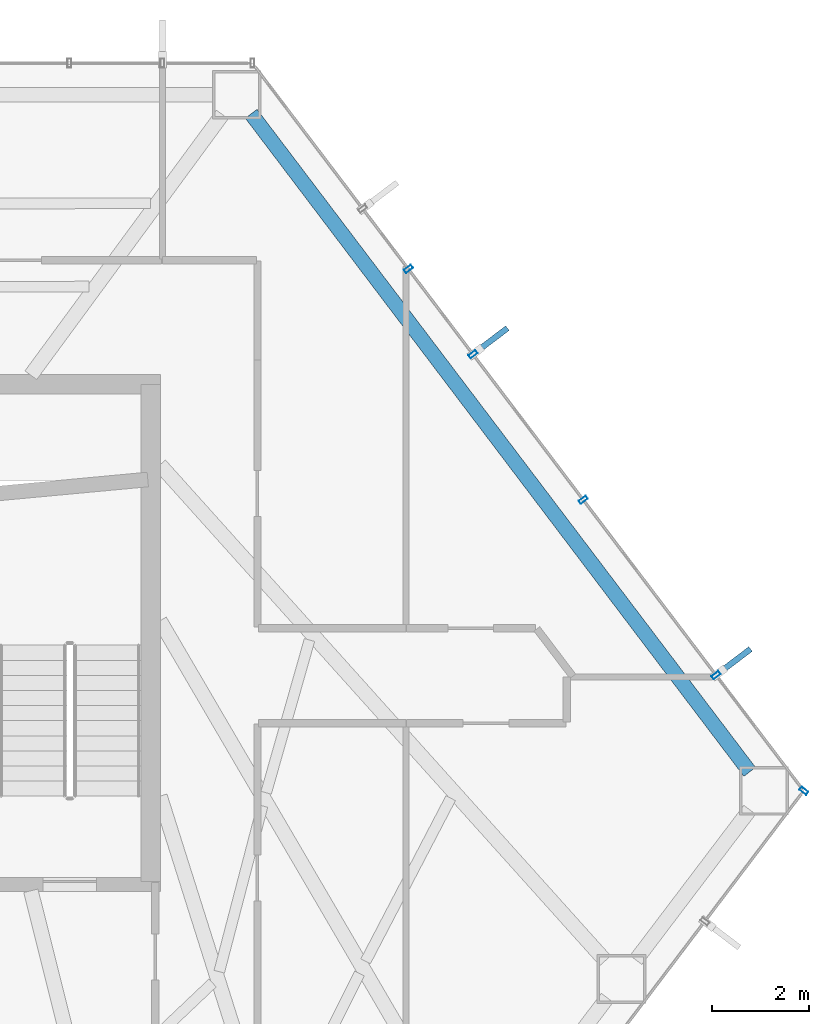
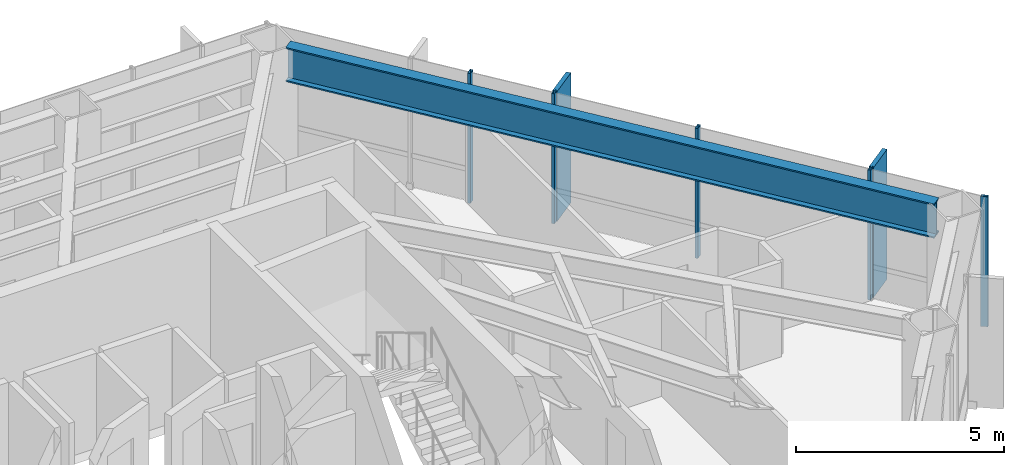
# One storey, part 19 of 25: 7 members, 1 beam, 2 elements without a shape of their own.
"""IFC4 building model written with IfcOpenShell, lengths in metres."""

from ifc_helpers import new_model, si_unit, direction, frame, origin, origin_2d, place, context, subcontext, project, spatial, rectangle, hollow_rectangle, i_section, extrude, material, layer, layer_set, material_profile, profile_set, type_object, element, aggregate, save


model = new_model("IFC4")

# Units and contexts
model_context = context("Model", 3, precision=1e-05, world=origin(), true_north=direction((0.0, 1.0)))
body_context = subcontext(model_context, "Body", "Model", "MODEL_VIEW")
ifc_project = project(units=[si_unit("LENGTHUNIT", "METRE"), si_unit("AREAUNIT", "SQUARE_METRE"), si_unit("VOLUMEUNIT", "CUBIC_METRE"), si_unit("PLANEANGLEUNIT", "RADIAN"), si_unit("MASSUNIT", "GRAM", prefix="KILO")], contexts=[model_context])

# Site, building, storey
site_placement = place(None, origin())
site = spatial("IfcSite", under=ifc_project, at=site_placement, CompositionType="ELEMENT")
building_placement = place(site_placement, origin())
building = spatial("IfcBuilding", under=site, at=building_placement, Name="Zarrinselat Tower", CompositionType="ELEMENT")
storey_placement = place(building_placement, frame((0.0, 0.0, 39.780029296875)))
storey = spatial("IfcBuildingStorey", under=building, at=storey_placement, Name="L09", CompositionType="ELEMENT", Elevation=39.780029296875)

# Beam
ifc_material_1 = material(Name="Steel S460M", Category="steel")
ifc_material_profile_1 = material_profile(ifc_material_1, i_section(OverallWidth=0.302001953125, OverallDepth=1.008056640625, WebThickness=0.02099609375, FlangeThickness=0.0400390625, at=origin_2d()), Name="HEM 1000")
ifc_profile_set_1 = profile_set([ifc_material_profile_1], Name="Steel S460M")
beam_type = type_object("IfcBeamType", Name="BM-HEM1000", PredefinedType="BEAM", material=ifc_profile_set_1)
beam_placement = place(storey_placement, frame((50.321044921875, 49.00537109375, 3.31591796875), z_axis=(0.60386157192, -0.797089205772, 0.0), x_axis=(0.797089205772, 0.60386157192, 0.0)))
element("IfcBeam", 1, at=beam_placement, inside=storey, type_object=beam_type, Name="L09 Perimeter Spandrel Girder SP15", PredefinedType="BEAM", context=body_context, shape_type="SweptSolid", body=[
    extrude(i_section(OverallWidth=0.302001953125, OverallDepth=1.008056640625, WebThickness=0.02099609375, FlangeThickness=0.0400390625, at=origin_2d()), origin(), (0.0, 0.0, 1.0), 16.943359375),
])

# Curtain wall, member
ifc_material_2 = material(Name="Extruded Aluminium Alloy EN AW-6063 T6", Category="aluminium")
ifc_layer = layer(ifc_material_2, 0.18505859375)
ifc_layer_set = layer_set([ifc_layer], Name="Extruded Aluminium Alloy EN AW-6063 T6")
curtain_wall_type = type_object("IfcCurtainWallType", Name="CWS-OFF", PredefinedType="NOTDEFINED", material=ifc_layer_set)
curtain_wall_1_placement = place(storey_placement, origin())
curtain_wall_1 = element("IfcCurtainWall", 2, at=curtain_wall_1_placement, inside=storey, type_object=curtain_wall_type, Name="L09 Unitised Curtain Wall CW-L09-E05", PredefinedType="NOTDEFINED")
ifc_material_3 = material(Name="Extruded Aluminium Alloy EN AW-6063 T6", Category="aluminium")
ifc_material_profile_2 = material_profile(ifc_material_3, hollow_rectangle(XDim=0.080078125, YDim=0.179931640625, WallThickness=0.0048828125, at=origin_2d()), Name="RHS 180x80x5")
ifc_profile_set_2 = profile_set([ifc_material_profile_2], Name="Extruded Aluminium Alloy EN AW-6063 T6")
member_type_1 = type_object("IfcMemberType", Name="MEM-CW-MUL", PredefinedType="MULLION", material=ifc_profile_set_2)
member_1_placement = place(storey_placement, frame((61.66259765625, 35.111083984375, 0.0), z_axis=(0.0, 0.0, 1.0), x_axis=(0.603859118859, 0.797091064164, 0.0)))
member_1 = element("IfcMember", 3, at=member_1_placement, type_object=member_type_1, Name="CW-L09-E05 Mullion 6", PredefinedType="MULLION", context=body_context, shape_type="SweptSolid", body=[
    extrude(hollow_rectangle(XDim=0.080078125, YDim=0.179931640625, WallThickness=0.0048828125, at=origin_2d()), origin(), (0.0, 0.0, 1.0), 3.820068359375),
])
aggregate(curtain_wall_1, [member_1])

# Curtain wall, members
curtain_wall_2_placement = place(storey_placement, origin())
curtain_wall_2 = element("IfcCurtainWall", 4, at=curtain_wall_2_placement, inside=storey, type_object=curtain_wall_type, Name="L09 Unitised Curtain Wall CW-L09-E06", PredefinedType="NOTDEFINED")
member_2_placement = place(storey_placement, frame((59.86328125, 37.486083984375, 0.0), z_axis=(0.0, 0.0, 1.0), x_axis=(-0.603858304597, 0.797091681031, 0.0)))
member_2 = element("IfcMember", 5, at=member_2_placement, type_object=member_type_1, Name="CW-L09-E06 Mullion 1", PredefinedType="MULLION", context=body_context, shape_type="SweptSolid", body=[
    extrude(hollow_rectangle(XDim=0.080078125, YDim=0.179931640625, WallThickness=0.0048828125, at=origin_2d()), origin(), (0.0, 0.0, 1.0), 3.820068359375),
])
member_3_placement = place(storey_placement, frame((57.13720703125, 41.08447265625, 0.0), z_axis=(0.0, 0.0, 1.0), x_axis=(-0.603858304597, 0.797091681031, 0.0)))
member_3 = element("IfcMember", 6, at=member_3_placement, type_object=member_type_1, Name="CW-L09-E06 Mullion 2", PredefinedType="MULLION", context=body_context, shape_type="SweptSolid", body=[
    extrude(hollow_rectangle(XDim=0.080078125, YDim=0.179931640625, WallThickness=0.0048828125, at=origin_2d()), origin(), (0.0, 0.0, 1.0), 3.820068359375),
])
member_4_placement = place(storey_placement, frame((54.874755859375, 44.071044921875, 0.0), z_axis=(0.0, 0.0, 1.0), x_axis=(-0.603858304597, 0.797091681031, 0.0)))
member_4 = element("IfcMember", 7, at=member_4_placement, type_object=member_type_1, Name="CW-L09-E06 Mullion 3", PredefinedType="MULLION", context=body_context, shape_type="SweptSolid", body=[
    extrude(hollow_rectangle(XDim=0.080078125, YDim=0.179931640625, WallThickness=0.0048828125, at=origin_2d()), origin(), (0.0, 0.0, 1.0), 3.820068359375),
])
member_5_placement = place(storey_placement, frame((53.5478515625, 45.822509765625, 0.0), z_axis=(0.0, 0.0, 1.0), x_axis=(-0.603858304597, 0.797091681031, 0.0)))
member_5 = element("IfcMember", 8, at=member_5_placement, type_object=member_type_1, Name="CW-L09-E06 Mullion 4", PredefinedType="MULLION", context=body_context, shape_type="SweptSolid", body=[
    extrude(hollow_rectangle(XDim=0.080078125, YDim=0.179931640625, WallThickness=0.0048828125, at=origin_2d()), origin(), (0.0, 0.0, 1.0), 3.820068359375),
])
ifc_material_4 = material(Name="Honed Cream Travertine Stone", Category="masonry")
ifc_material_profile_3 = material_profile(ifc_material_4, rectangle(XDim=0.1201171875, YDim=0.85009765625, at=origin_2d()), Name="FIN 850x120")
ifc_profile_set_3 = profile_set([ifc_material_profile_3], Name="Honed Cream Travertine Stone")
member_type_2 = type_object("IfcMemberType", Name="MEM-STONE-FIN", PredefinedType="USERDEFINED", material=ifc_profile_set_3)
member_6_placement = place(storey_placement, frame((60.22998046875, 37.763916015625, 0.0), z_axis=(0.0, 0.0, 1.0), x_axis=(0.603858304597, -0.797091681031, 0.0)))
member_6 = element("IfcMember", 9, at=member_6_placement, type_object=member_type_2, Name="L09 Stone Shading Fin CW-L09-E06-01", ObjectType="FIN", PredefinedType="USERDEFINED", context=body_context, shape_type="SweptSolid", body=[
    extrude(rectangle(XDim=0.1201171875, YDim=0.85009765625, at=origin_2d()), origin(), (0.0, 0.0, 1.0), 3.820068359375),
])
member_7_placement = place(storey_placement, frame((55.241455078125, 44.348876953125, 0.0), z_axis=(0.0, 0.0, 1.0), x_axis=(0.603858304597, -0.797091681031, 0.0)))
member_7 = element("IfcMember", 10, at=member_7_placement, type_object=member_type_2, Name="L09 Stone Shading Fin CW-L09-E06-03", ObjectType="FIN", PredefinedType="USERDEFINED", context=body_context, shape_type="SweptSolid", body=[
    extrude(rectangle(XDim=0.1201171875, YDim=0.85009765625, at=origin_2d()), origin(), (0.0, 0.0, 1.0), 3.820068359375),
])
aggregate(curtain_wall_2, [member_2, member_6, member_3, member_4, member_7, member_5])

save(model, "model.ifc")
